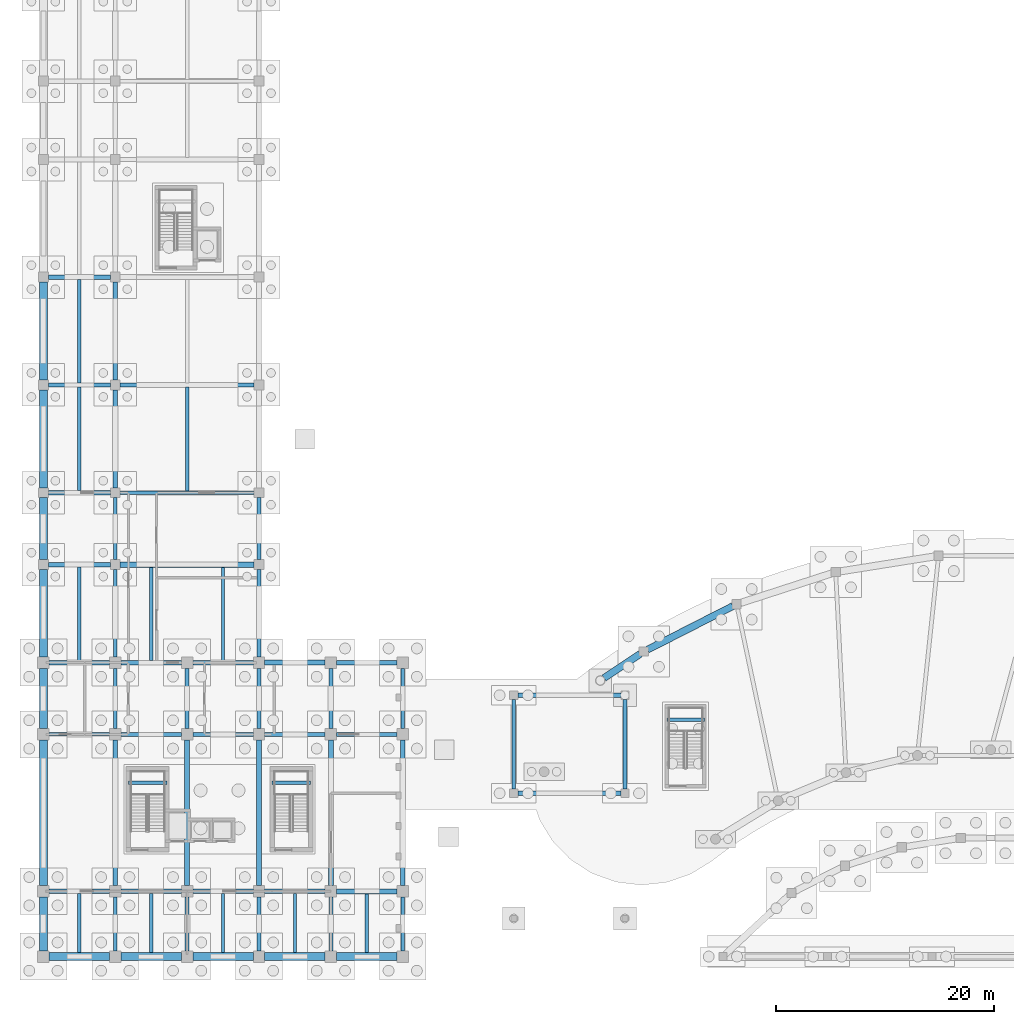
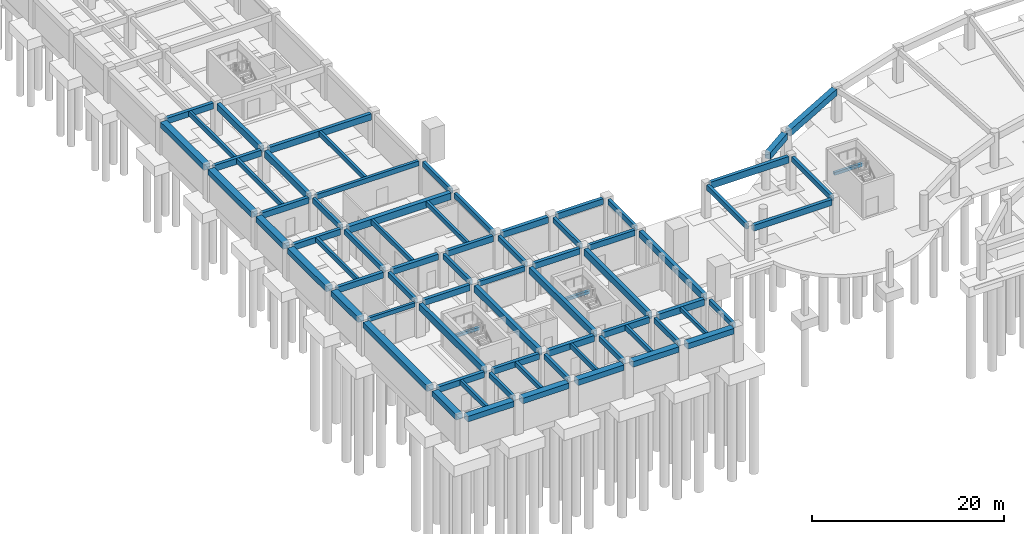
# One storey, part 10 of 28: 75 beams.
"""IFC4 building model written with IfcOpenShell, lengths in metres."""

from ifc_helpers import new_model, si_unit, direction, frame, origin, origin_2d, place, context, subcontext, project, spatial, rectangle, extrude, material, material_profile, profile_set, type_object, element, save


model = new_model("IFC4")

# Units and contexts
model_context = context("Model", 3, precision=1e-05, world=origin(), true_north=direction((0.0, 1.0)))
body_context = subcontext(model_context, "Body", "Model", "MODEL_VIEW")
ifc_project = project(units=[si_unit("LENGTHUNIT", "METRE"), si_unit("AREAUNIT", "SQUARE_METRE"), si_unit("VOLUMEUNIT", "CUBIC_METRE"), si_unit("PLANEANGLEUNIT", "RADIAN"), si_unit("MASSUNIT", "GRAM", prefix="KILO")], contexts=[model_context])

# Site, building, storey
site_placement = place(None, origin())
site = spatial("IfcSite", under=ifc_project, at=site_placement, CompositionType="ELEMENT")
building_placement = place(site_placement, origin())
building = spatial("IfcBuilding", under=site, at=building_placement, Name="Miralva Faculty of Natural Sciences", CompositionType="ELEMENT")
storey_placement = place(building_placement, frame((0.0, 0.0, -4.5)))
storey = spatial("IfcBuildingStorey", under=building, at=storey_placement, Name="B1", CompositionType="ELEMENT", Elevation=-4.5)

# Beams
ifc_material = material(Name="Concrete C40/50", Category="concrete")
ifc_material_profile_1 = material_profile(ifc_material, rectangle(XDim=0.449951171875, YDim=0.85009765625, at=origin_2d()), Name="RC 450x850")
ifc_profile_set_1 = profile_set([ifc_material_profile_1], Name="Concrete C40/50")
beam_type_1 = type_object("IfcBeamType", Name="BM-B01", PredefinedType="BEAM", material=ifc_profile_set_1)
beam_1_placement = place(storey_placement, frame((9.60009765625, 9.52490234375, 3.85498046875), z_axis=(0.0, 1.0, 0.0), x_axis=(-1.0, 0.0, 0.0)))
element("IfcBeam", 1, at=beam_1_placement, inside=storey, type_object=beam_type_1, Name="Girder NS B1-125", PredefinedType="BEAM", context=body_context, shape_type="SweptSolid", body=[
    extrude(rectangle(XDim=0.449951171875, YDim=0.85009765625, at=origin_2d()), origin(), (0.0, 0.0, 1.0), 13.35009765625),
])
for number, where, z_axis, x_axis, name in (
    (2, (9.60009765625, 46.050048828125, 3.7548828125), (0.0, 1.0, 0.0), (-1.0, 0.0, 0.0), "Girder NS B1-129"),
    (3, (9.60009765625, 55.949951171875, 3.7548828125), (0.0, 1.0, 0.0), (-1.0, 0.0, 0.0), "Girder NS B1-130"),
):
    element("IfcBeam", number, at=place(storey_placement, frame(where, z_axis=z_axis, x_axis=x_axis)), inside=storey, type_object=beam_type_1, Name=name, PredefinedType="BEAM", context=body_context, shape_type="SweptSolid", body=[
        extrude(rectangle(XDim=0.449951171875, YDim=0.85009765625, at=origin_2d()), origin(), (0.0, 0.0, 1.0), 9.0),
    ])
for number, where, z_axis, x_axis, name in (
    (4, (16.199951171875, 9.52490234375, 3.85498046875), (0.0, 1.0, 0.0), (-1.0, 0.0, 0.0), "Girder NS B1-135"),
    (5, (22.800048828125, 9.52490234375, 3.85498046875), (0.0, 1.0, 0.0), (-1.0, 0.0, 0.0), "Girder NS B1-138"),
    (6, (29.39990234375, 9.52490234375, 3.85498046875), (0.0, 1.0, 0.0), (-1.0, 0.0, 0.0), "Girder NS B1-151"),
    (7, (36.0, 9.52490234375, 3.85498046875), (0.0, 1.0, 0.0), (-1.0, 0.0, 0.0), "Girder NS B1-156"),
):
    element("IfcBeam", number, at=place(storey_placement, frame(where, z_axis=z_axis, x_axis=x_axis)), inside=storey, type_object=beam_type_1, Name=name, PredefinedType="BEAM", context=body_context, shape_type="SweptSolid", body=[
        extrude(rectangle(XDim=0.449951171875, YDim=0.85009765625, at=origin_2d()), origin(), (0.0, 0.0, 1.0), 13.35009765625),
    ])
ifc_material_profile_2 = material_profile(ifc_material, rectangle(XDim=0.39990234375, YDim=0.800048828125, at=origin_2d()), Name="RC 400x800")
ifc_profile_set_2 = profile_set([ifc_material_profile_2], Name="Concrete C40/50")
beam_type_2 = type_object("IfcBeamType", Name="BM-B02", PredefinedType="BEAM", material=ifc_profile_set_2)
beam_2_placement = place(storey_placement, frame((10.050048828125, 55.5, 3.780029296875), z_axis=(1.0, 0.0, 0.0), x_axis=(0.0, 1.0, 0.0)))
element("IfcBeam", 8, at=beam_2_placement, inside=storey, type_object=beam_type_2, Name="Girder EW B1-52", PredefinedType="BEAM", context=body_context, shape_type="SweptSolid", body=[
    extrude(rectangle(XDim=0.39990234375, YDim=0.800048828125, at=origin_2d()), origin(), (0.0, 0.0, 1.0), 12.300048828125),
])
ifc_material_profile_3 = material_profile(ifc_material, rectangle(XDim=0.39990234375, YDim=0.75, at=origin_2d()), Name="RC 400x750")
ifc_profile_set_3 = profile_set([ifc_material_profile_3], Name="Concrete C40/50")
beam_type_3 = type_object("IfcBeamType", Name="BM-B03", PredefinedType="BEAM", material=ifc_profile_set_3)
for number, where, z_axis, x_axis, name in (
    (9, (10.125, 9.0, 3.905029296875), (1.0, 0.0, 0.0), (0.0, 1.0, 0.0), "Girder EW B1-12"),
    (10, (23.324951171875, 9.0, 3.905029296875), (1.0, 0.0, 0.0), (0.0, 1.0, 0.0), "Girder EW B1-14"),
):
    element("IfcBeam", number, at=place(storey_placement, frame(where, z_axis=z_axis, x_axis=x_axis)), inside=storey, type_object=beam_type_3, Name=name, PredefinedType="BEAM", context=body_context, shape_type="SweptSolid", body=[
        extrude(rectangle(XDim=0.39990234375, YDim=0.75, at=origin_2d()), origin(), (0.0, 0.0, 1.0), 5.550048828125),
    ])
beam_3_placement = place(storey_placement, frame((46.574951171875, 18.0, 3.885009765625), z_axis=(1.0, 0.0, 0.0), x_axis=(0.0, 1.0, 0.0)))
element("IfcBeam", 11, at=beam_3_placement, inside=storey, type_object=beam_type_3, Name="Girder EW B1-20", PredefinedType="BEAM", context=body_context, shape_type="SweptSolid", body=[
    extrude(rectangle(XDim=0.39990234375, YDim=0.75, at=origin_2d()), origin(), (0.0, 0.0, 1.0), 9.449951171875),
])
for number, where, z_axis, x_axis, name in (
    (12, (10.125, 23.39990234375, 3.905029296875), (1.0, 0.0, 0.0), (0.0, 1.0, 0.0), "Girder EW B1-24"),
    (13, (23.324951171875, 23.39990234375, 3.905029296875), (1.0, 0.0, 0.0), (0.0, 1.0, 0.0), "Girder EW B1-26"),
    (14, (3.52490234375, 30.0, 3.804931640625), (1.0, 0.0, 0.0), (0.0, 1.0, 0.0), "Girder EW B1-32"),
):
    element("IfcBeam", number, at=place(storey_placement, frame(where, z_axis=z_axis, x_axis=x_axis)), inside=storey, type_object=beam_type_3, Name=name, PredefinedType="BEAM", context=body_context, shape_type="SweptSolid", body=[
        extrude(rectangle(XDim=0.39990234375, YDim=0.75, at=origin_2d()), origin(), (0.0, 0.0, 1.0), 5.550048828125),
    ])
beam_4_placement = place(storey_placement, frame((16.72509765625, 30.0, 3.804931640625), z_axis=(1.0, 0.0, 0.0), x_axis=(0.0, 1.0, 0.0)))
element("IfcBeam", 15, at=beam_4_placement, inside=storey, type_object=beam_type_3, Name="Girder EW B1-34", PredefinedType="BEAM", context=body_context, shape_type="SweptSolid", body=[
    extrude(rectangle(XDim=0.39990234375, YDim=0.75, at=origin_2d()), origin(), (0.0, 0.0, 1.0), 5.5498046875),
])
beam_5_placement = place(storey_placement, frame((29.925048828125, 30.0, 3.905029296875), z_axis=(1.0, 0.0, 0.0), x_axis=(0.0, 1.0, 0.0)))
element("IfcBeam", 16, at=beam_5_placement, inside=storey, type_object=beam_type_3, Name="Girder EW B1-36", PredefinedType="BEAM", context=body_context, shape_type="SweptSolid", body=[
    extrude(rectangle(XDim=0.39990234375, YDim=0.75, at=origin_2d()), origin(), (0.0, 0.0, 1.0), 5.550048828125),
])
for number, where, z_axis, x_axis, name in (
    (17, (3.449951171875, 39.0, 3.804931640625), (1.0, 0.0, 0.0), (0.0, 1.0, 0.0), "Girder EW B1-40"),
    (18, (3.449951171875, 45.60009765625, 3.804931640625), (1.0, 0.0, 0.0), (0.0, 1.0, 0.0), "Girder EW B1-46"),
    (19, (3.449951171875, 65.39990234375, 3.804931640625), (1.0, 0.0, 0.0), (0.0, 1.0, 0.0), "Girder EW B1-56"),
):
    element("IfcBeam", number, at=place(storey_placement, frame(where, z_axis=z_axis, x_axis=x_axis)), inside=storey, type_object=beam_type_3, Name=name, PredefinedType="BEAM", context=body_context, shape_type="SweptSolid", body=[
        extrude(rectangle(XDim=0.39990234375, YDim=0.75, at=origin_2d()), origin(), (0.0, 0.0, 1.0), 5.699951171875),
    ])
ifc_material_profile_4 = material_profile(ifc_material, rectangle(XDim=0.35009765625, YDim=0.64990234375, at=origin_2d()), Name="RC 350x650")
ifc_profile_set_4 = profile_set([ifc_material_profile_4], Name="Concrete C40/50")
beam_type_4 = type_object("IfcBeamType", Name="BM-B05", PredefinedType="BEAM", material=ifc_profile_set_4)
beam_6_placement = place(storey_placement, frame((9.60009765625, 3.52490234375, 3.955078125), z_axis=(0.0, 1.0, 0.0), x_axis=(-1.0, 0.0, 0.0)))
element("IfcBeam", 20, at=beam_6_placement, inside=storey, type_object=beam_type_4, Name="Girder NS B1-124", PredefinedType="BEAM", context=body_context, shape_type="SweptSolid", body=[
    extrude(rectangle(XDim=0.35009765625, YDim=0.64990234375, at=origin_2d()), origin(), (0.0, 0.0, 1.0), 4.9501953125),
])
beam_7_placement = place(storey_placement, frame((9.60009765625, 23.925048828125, 3.955078125), z_axis=(0.0, 1.0, 0.0), x_axis=(-1.0, 0.0, 0.0)))
element("IfcBeam", 21, at=beam_7_placement, inside=storey, type_object=beam_type_4, Name="Girder NS B1-126", PredefinedType="BEAM", context=body_context, shape_type="SweptSolid", body=[
    extrude(rectangle(XDim=0.35009765625, YDim=0.64990234375, at=origin_2d()), origin(), (0.0, 0.0, 1.0), 5.550048828125),
])
beam_8_placement = place(storey_placement, frame((9.60009765625, 30.52490234375, 3.85498046875), z_axis=(0.0, 1.0, 0.0), x_axis=(-1.0, 0.0, 0.0)))
element("IfcBeam", 22, at=beam_8_placement, inside=storey, type_object=beam_type_4, Name="Girder NS B1-127", PredefinedType="BEAM", context=body_context, shape_type="SweptSolid", body=[
    extrude(rectangle(XDim=0.35009765625, YDim=0.64990234375, at=origin_2d()), origin(), (0.0, 0.0, 1.0), 8.025146484375),
])
beam_9_placement = place(storey_placement, frame((9.60009765625, 39.449951171875, 3.85498046875), z_axis=(0.0, 1.0, 0.0), x_axis=(-1.0, 0.0, 0.0)))
element("IfcBeam", 23, at=beam_9_placement, inside=storey, type_object=beam_type_4, Name="Girder NS B1-128", PredefinedType="BEAM", context=body_context, shape_type="SweptSolid", body=[
    extrude(rectangle(XDim=0.35009765625, YDim=0.64990234375, at=origin_2d()), origin(), (0.0, 0.0, 1.0), 5.699951171875),
])
beam_10_placement = place(storey_placement, frame((16.199951171875, 3.52490234375, 3.955078125), z_axis=(0.0, 1.0, 0.0), x_axis=(-1.0, 0.0, 0.0)))
element("IfcBeam", 24, at=beam_10_placement, inside=storey, type_object=beam_type_4, Name="Girder NS B1-134", PredefinedType="BEAM", context=body_context, shape_type="SweptSolid", body=[
    extrude(rectangle(XDim=0.35009765625, YDim=0.64990234375, at=origin_2d()), origin(), (0.0, 0.0, 1.0), 4.9501953125),
])
beam_11_placement = place(storey_placement, frame((16.199951171875, 23.925048828125, 3.955078125), z_axis=(0.0, 1.0, 0.0), x_axis=(-1.0, 0.0, 0.0)))
element("IfcBeam", 25, at=beam_11_placement, inside=storey, type_object=beam_type_4, Name="Girder NS B1-136", PredefinedType="BEAM", context=body_context, shape_type="SweptSolid", body=[
    extrude(rectangle(XDim=0.35009765625, YDim=0.64990234375, at=origin_2d()), origin(), (0.0, 0.0, 1.0), 5.550048828125),
])
beam_12_placement = place(storey_placement, frame((22.800048828125, 3.52490234375, 3.955078125), z_axis=(0.0, 1.0, 0.0), x_axis=(-1.0, 0.0, 0.0)))
element("IfcBeam", 26, at=beam_12_placement, inside=storey, type_object=beam_type_4, Name="Girder NS B1-137", PredefinedType="BEAM", context=body_context, shape_type="SweptSolid", body=[
    extrude(rectangle(XDim=0.35009765625, YDim=0.64990234375, at=origin_2d()), origin(), (0.0, 0.0, 1.0), 4.9501953125),
])
beam_13_placement = place(storey_placement, frame((22.800048828125, 23.925048828125, 3.955078125), z_axis=(0.0, 1.0, 0.0), x_axis=(-1.0, 0.0, 0.0)))
element("IfcBeam", 27, at=beam_13_placement, inside=storey, type_object=beam_type_4, Name="Girder NS B1-139", PredefinedType="BEAM", context=body_context, shape_type="SweptSolid", body=[
    extrude(rectangle(XDim=0.35009765625, YDim=0.64990234375, at=origin_2d()), origin(), (0.0, 0.0, 1.0), 5.550048828125),
])
beam_14_placement = place(storey_placement, frame((22.800048828125, 30.52490234375, 3.85498046875), z_axis=(0.0, 1.0, 0.0), x_axis=(-1.0, 0.0, 0.0)))
element("IfcBeam", 28, at=beam_14_placement, inside=storey, type_object=beam_type_4, Name="Girder NS B1-140", PredefinedType="BEAM", context=body_context, shape_type="SweptSolid", body=[
    extrude(rectangle(XDim=0.35009765625, YDim=0.64990234375, at=origin_2d()), origin(), (0.0, 0.0, 1.0), 8.025146484375),
])
beam_15_placement = place(storey_placement, frame((22.800048828125, 39.449951171875, 3.85498046875), z_axis=(0.0, 1.0, 0.0), x_axis=(-1.0, 0.0, 0.0)))
element("IfcBeam", 29, at=beam_15_placement, inside=storey, type_object=beam_type_4, Name="Girder NS B1-141", PredefinedType="BEAM", context=body_context, shape_type="SweptSolid", body=[
    extrude(rectangle(XDim=0.35009765625, YDim=0.64990234375, at=origin_2d()), origin(), (0.0, 0.0, 1.0), 5.699951171875),
])
beam_16_placement = place(storey_placement, frame((29.39990234375, 3.52490234375, 3.955078125), z_axis=(0.0, 1.0, 0.0), x_axis=(-1.0, 0.0, 0.0)))
element("IfcBeam", 30, at=beam_16_placement, inside=storey, type_object=beam_type_4, Name="Girder NS B1-150", PredefinedType="BEAM", context=body_context, shape_type="SweptSolid", body=[
    extrude(rectangle(XDim=0.35009765625, YDim=0.64990234375, at=origin_2d()), origin(), (0.0, 0.0, 1.0), 4.9501953125),
])
beam_17_placement = place(storey_placement, frame((29.39990234375, 23.925048828125, 3.955078125), z_axis=(0.0, 1.0, 0.0), x_axis=(-1.0, 0.0, 0.0)))
element("IfcBeam", 31, at=beam_17_placement, inside=storey, type_object=beam_type_4, Name="Girder NS B1-152", PredefinedType="BEAM", context=body_context, shape_type="SweptSolid", body=[
    extrude(rectangle(XDim=0.35009765625, YDim=0.64990234375, at=origin_2d()), origin(), (0.0, 0.0, 1.0), 5.550048828125),
])
beam_18_placement = place(storey_placement, frame((36.0, 3.52490234375, 3.955078125), z_axis=(0.0, 1.0, 0.0), x_axis=(-1.0, 0.0, 0.0)))
element("IfcBeam", 32, at=beam_18_placement, inside=storey, type_object=beam_type_4, Name="Girder NS B1-155", PredefinedType="BEAM", context=body_context, shape_type="SweptSolid", body=[
    extrude(rectangle(XDim=0.35009765625, YDim=0.64990234375, at=origin_2d()), origin(), (0.0, 0.0, 1.0), 4.9501953125),
])
beam_19_placement = place(storey_placement, frame((36.0, 23.925048828125, 3.93505859375), z_axis=(0.0, 1.0, 0.0), x_axis=(-1.0, 0.0, 0.0)))
element("IfcBeam", 33, at=beam_19_placement, inside=storey, type_object=beam_type_4, Name="Girder NS B1-157", PredefinedType="BEAM", context=body_context, shape_type="SweptSolid", body=[
    extrude(rectangle(XDim=0.35009765625, YDim=0.64990234375, at=origin_2d()), origin(), (0.0, 0.0, 1.0), 5.550048828125),
])
for number, where, z_axis, x_axis, name in (
    (34, (46.199951171875, 18.375, 3.93505859375), (0.0, 1.0, 0.0), (-1.0, 0.0, 0.0), "Girder NS B1-160"),
    (35, (56.39990234375, 18.375, 3.93505859375), (0.0, 1.0, 0.0), (-1.0, 0.0, 0.0), "Girder NS B1-163"),
):
    element("IfcBeam", number, at=place(storey_placement, frame(where, z_axis=z_axis, x_axis=x_axis)), inside=storey, type_object=beam_type_4, Name=name, PredefinedType="BEAM", context=body_context, shape_type="SweptSolid", body=[
        extrude(rectangle(XDim=0.35009765625, YDim=0.64990234375, at=origin_2d()), origin(), (0.0, 0.0, 1.0), 8.25),
    ])
ifc_material_profile_5 = material_profile(ifc_material, rectangle(XDim=0.320068359375, YDim=0.52001953125, at=origin_2d()), Name="RC 320x520")
ifc_profile_set_5 = profile_set([ifc_material_profile_5], Name="Concrete C40/50")
beam_type_5 = type_object("IfcBeamType", Name="BM-BG01", PredefinedType="BEAM", material=ifc_profile_set_5)
beam_20_placement = place(storey_placement, frame((3.52490234375, 23.39990234375, 4.02001953125), z_axis=(1.0, 0.0, 0.0), x_axis=(0.0, 1.0, 0.0)))
element("IfcBeam", 36, at=beam_20_placement, inside=storey, type_object=beam_type_5, Name="Girder EW B1-23", PredefinedType="BEAM", context=body_context, shape_type="SweptSolid", body=[
    extrude(rectangle(XDim=0.320068359375, YDim=0.52001953125, at=origin_2d()), origin(), (0.0, 0.0, 1.0), 5.550048828125),
])
ifc_material_profile_6 = material_profile(ifc_material, rectangle(XDim=0.340087890625, YDim=0.6201171875, at=origin_2d()), Name="RC 340x620")
ifc_profile_set_6 = profile_set([ifc_material_profile_6], Name="Concrete C40/50")
beam_type_6 = type_object("IfcBeamType", Name="BM-BG03", PredefinedType="BEAM", material=ifc_profile_set_6)
beam_21_placement = place(storey_placement, frame((16.72509765625, 23.39990234375, 3.969970703125), z_axis=(1.0, 0.0, 0.0), x_axis=(0.0, 1.0, 0.0)))
element("IfcBeam", 37, at=beam_21_placement, inside=storey, type_object=beam_type_6, Name="Girder EW B1-25", PredefinedType="BEAM", context=body_context, shape_type="SweptSolid", body=[
    extrude(rectangle(XDim=0.340087890625, YDim=0.6201171875, at=origin_2d()), origin(), (0.0, 0.0, 1.0), 5.5498046875),
])
beam_22_placement = place(storey_placement, frame((10.050048828125, 45.60009765625, 3.8701171875), z_axis=(1.0, 0.0, 0.0), x_axis=(0.0, 1.0, 0.0)))
element("IfcBeam", 38, at=beam_22_placement, inside=storey, type_object=beam_type_6, Name="Girder EW B1-47", PredefinedType="BEAM", context=body_context, shape_type="SweptSolid", body=[
    extrude(rectangle(XDim=0.340087890625, YDim=0.6201171875, at=origin_2d()), origin(), (0.0, 0.0, 1.0), 12.300048828125),
])
ifc_material_profile_7 = material_profile(ifc_material, rectangle(XDim=0.360107421875, YDim=0.719970703125, at=origin_2d()), Name="RC 360x720")
ifc_profile_set_7 = profile_set([ifc_material_profile_7], Name="Concrete C40/50")
beam_type_7 = type_object("IfcBeamType", Name="BM-BG05", PredefinedType="BEAM", material=ifc_profile_set_7)
beam_23_placement = place(storey_placement, frame((29.925048828125, 23.39990234375, 3.919921875), z_axis=(1.0, 0.0, 0.0), x_axis=(0.0, 1.0, 0.0)))
element("IfcBeam", 39, at=beam_23_placement, inside=storey, type_object=beam_type_7, Name="Girder EW B1-27", PredefinedType="BEAM", context=body_context, shape_type="SweptSolid", body=[
    extrude(rectangle(XDim=0.360107421875, YDim=0.719970703125, at=origin_2d()), origin(), (0.0, 0.0, 1.0), 5.550048828125),
])
ifc_material_profile_8 = material_profile(ifc_material, rectangle(XDim=0.3798828125, YDim=0.780029296875, at=origin_2d()), Name="RC 380x780")
ifc_profile_set_8 = profile_set([ifc_material_profile_8], Name="Concrete C40/50")
beam_type_8 = type_object("IfcBeamType", Name="BM-BG07", PredefinedType="BEAM", material=ifc_profile_set_8)
beam_24_placement = place(storey_placement, frame((3.449951171875, 55.5, 3.7900390625), z_axis=(1.0, 0.0, 0.0), x_axis=(0.0, 1.0, 0.0)))
element("IfcBeam", 40, at=beam_24_placement, inside=storey, type_object=beam_type_8, Name="Girder EW B1-51", PredefinedType="BEAM", context=body_context, shape_type="SweptSolid", body=[
    extrude(rectangle(XDim=0.3798828125, YDim=0.780029296875, at=origin_2d()), origin(), (0.0, 0.0, 1.0), 5.699951171875),
])
ifc_material_profile_9 = material_profile(ifc_material, rectangle(XDim=0.39990234375, YDim=0.840087890625, at=origin_2d()), Name="RC 400x840")
ifc_profile_set_9 = profile_set([ifc_material_profile_9], Name="Concrete C40/50")
beam_type_9 = type_object("IfcBeamType", Name="BM-BG09", PredefinedType="BEAM", material=ifc_profile_set_9)
beam_25_placement = place(storey_placement, frame((46.574951171875, 27.0, 3.840087890625), z_axis=(1.0, 0.0, 0.0), x_axis=(0.0, 1.0, 0.0)))
element("IfcBeam", 41, at=beam_25_placement, inside=storey, type_object=beam_type_9, Name="Girder EW B1-31", PredefinedType="BEAM", context=body_context, shape_type="SweptSolid", body=[
    extrude(rectangle(XDim=0.39990234375, YDim=0.840087890625, at=origin_2d()), origin(), (0.0, 0.0, 1.0), 9.449951171875),
])
ifc_material_profile_10 = material_profile(ifc_material, rectangle(XDim=0.419921875, YDim=0.739990234375, at=origin_2d()), Name="RC 420x740")
ifc_profile_set_10 = profile_set([ifc_material_profile_10], Name="Concrete C40/50")
beam_type_10 = type_object("IfcBeamType", Name="BM-BG11", PredefinedType="BEAM", material=ifc_profile_set_10)
for number, where, z_axis, x_axis, name in (
    (42, (3.52490234375, 9.0, 3.909912109375), (1.0, 0.0, 0.0), (0.0, 1.0, 0.0), "Girder EW B1-11"),
    (43, (10.125, 30.0, 3.81005859375), (1.0, 0.0, 0.0), (0.0, 1.0, 0.0), "Girder EW B1-33"),
):
    element("IfcBeam", number, at=place(storey_placement, frame(where, z_axis=z_axis, x_axis=x_axis)), inside=storey, type_object=beam_type_10, Name=name, PredefinedType="BEAM", context=body_context, shape_type="SweptSolid", body=[
        extrude(rectangle(XDim=0.419921875, YDim=0.739990234375, at=origin_2d()), origin(), (0.0, 0.0, 1.0), 5.550048828125),
    ])
ifc_material_profile_11 = material_profile(ifc_material, rectangle(XDim=0.43994140625, YDim=0.780029296875, at=origin_2d()), Name="RC 440x780")
ifc_profile_set_11 = profile_set([ifc_material_profile_11], Name="Concrete C40/50")
beam_type_11 = type_object("IfcBeamType", Name="BM-BG13", PredefinedType="BEAM", material=ifc_profile_set_11)
beam_26_placement = place(storey_placement, frame((16.72509765625, 9.0, 3.889892578125), z_axis=(1.0, 0.0, 0.0), x_axis=(0.0, 1.0, 0.0)))
element("IfcBeam", 44, at=beam_26_placement, inside=storey, type_object=beam_type_11, Name="Girder EW B1-13", PredefinedType="BEAM", context=body_context, shape_type="SweptSolid", body=[
    extrude(rectangle(XDim=0.43994140625, YDim=0.780029296875, at=origin_2d()), origin(), (0.0, 0.0, 1.0), 5.5498046875),
])
beam_27_placement = place(storey_placement, frame((23.324951171875, 30.0, 3.889892578125), z_axis=(1.0, 0.0, 0.0), x_axis=(0.0, 1.0, 0.0)))
element("IfcBeam", 45, at=beam_27_placement, inside=storey, type_object=beam_type_11, Name="Girder EW B1-35", PredefinedType="BEAM", context=body_context, shape_type="SweptSolid", body=[
    extrude(rectangle(XDim=0.43994140625, YDim=0.780029296875, at=origin_2d()), origin(), (0.0, 0.0, 1.0), 5.550048828125),
])
ifc_material_profile_12 = material_profile(ifc_material, rectangle(XDim=0.4599609375, YDim=0.820068359375, at=origin_2d()), Name="RC 460x820")
ifc_profile_set_12 = profile_set([ifc_material_profile_12], Name="Concrete C40/50")
beam_type_12 = type_object("IfcBeamType", Name="BM-BG15", PredefinedType="BEAM", material=ifc_profile_set_12)
beam_28_placement = place(storey_placement, frame((29.925048828125, 9.0, 3.8701171875), z_axis=(1.0, 0.0, 0.0), x_axis=(0.0, 1.0, 0.0)))
element("IfcBeam", 46, at=beam_28_placement, inside=storey, type_object=beam_type_12, Name="Girder EW B1-15", PredefinedType="BEAM", context=body_context, shape_type="SweptSolid", body=[
    extrude(rectangle(XDim=0.4599609375, YDim=0.820068359375, at=origin_2d()), origin(), (0.0, 0.0, 1.0), 5.550048828125),
])
ifc_material_profile_13 = material_profile(ifc_material, rectangle(XDim=0.52001953125, YDim=0.8798828125, at=origin_2d()), Name="RC 520x880")
ifc_profile_set_13 = profile_set([ifc_material_profile_13], Name="Concrete C40/50")
beam_type_13 = type_object("IfcBeamType", Name="BM-BG19", PredefinedType="BEAM", material=ifc_profile_set_13)
beam_29_placement = place(storey_placement, frame((10.050048828125, 39.0, 3.739990234375), z_axis=(1.0, 0.0, 0.0), x_axis=(0.0, 1.0, 0.0)))
element("IfcBeam", 47, at=beam_29_placement, inside=storey, type_object=beam_type_13, Name="Girder EW B1-41", PredefinedType="BEAM", context=body_context, shape_type="SweptSolid", body=[
    extrude(rectangle(XDim=0.52001953125, YDim=0.8798828125, at=origin_2d()), origin(), (0.0, 0.0, 1.0), 12.300048828125),
])
ifc_material_profile_14 = material_profile(ifc_material, rectangle(XDim=0.300048828125, YDim=0.60009765625, at=origin_2d()), Name="RC 300x600")
ifc_profile_set_14 = profile_set([ifc_material_profile_14], Name="Concrete C40/50")
beam_type_14 = type_object("IfcBeamType", Name="BM-J01", PredefinedType="JOIST", material=ifc_profile_set_14)
beam_30_placement = place(storey_placement, frame((6.300048828125, 3.375, 3.97998046875), z_axis=(0.0, 1.0, 0.0), x_axis=(-1.0, 0.0, 0.0)))
element("IfcBeam", 48, at=beam_30_placement, inside=storey, type_object=beam_type_14, Name="Floor joist B1-1", PredefinedType="JOIST", context=body_context, shape_type="SweptSolid", body=[
    extrude(rectangle(XDim=0.300048828125, YDim=0.60009765625, at=origin_2d()), origin(), (0.0, 0.0, 1.0), 5.4150390625),
])
beam_31_placement = place(storey_placement, frame((12.89990234375, 3.375, 3.97998046875), z_axis=(0.0, 1.0, 0.0), x_axis=(-1.0, 0.0, 0.0)))
element("IfcBeam", 49, at=beam_31_placement, inside=storey, type_object=beam_type_14, Name="Floor joist B1-2", PredefinedType="JOIST", context=body_context, shape_type="SweptSolid", body=[
    extrude(rectangle(XDim=0.300048828125, YDim=0.60009765625, at=origin_2d()), origin(), (0.0, 0.0, 1.0), 5.425048828125),
])
beam_32_placement = place(storey_placement, frame((19.5, 3.375, 3.97998046875), z_axis=(0.0, 1.0, 0.0), x_axis=(-1.0, 0.0, 0.0)))
element("IfcBeam", 50, at=beam_32_placement, inside=storey, type_object=beam_type_14, Name="Floor joist B1-3", PredefinedType="JOIST", context=body_context, shape_type="SweptSolid", body=[
    extrude(rectangle(XDim=0.300048828125, YDim=0.60009765625, at=origin_2d()), origin(), (0.0, 0.0, 1.0), 5.405029296875),
])
beam_33_placement = place(storey_placement, frame((26.10009765625, 3.375, 3.97998046875), z_axis=(0.0, 1.0, 0.0), x_axis=(-1.0, 0.0, 0.0)))
element("IfcBeam", 51, at=beam_33_placement, inside=storey, type_object=beam_type_14, Name="Floor joist B1-4", PredefinedType="JOIST", context=body_context, shape_type="SweptSolid", body=[
    extrude(rectangle(XDim=0.300048828125, YDim=0.60009765625, at=origin_2d()), origin(), (0.0, 0.0, 1.0), 5.425048828125),
])
beam_34_placement = place(storey_placement, frame((6.300048828125, 30.199951171875, 3.8798828125), z_axis=(0.0, 1.0, 0.0), x_axis=(-1.0, 0.0, 0.0)))
element("IfcBeam", 52, at=beam_34_placement, inside=storey, type_object=beam_type_14, Name="Floor joist B1-6", PredefinedType="JOIST", context=body_context, shape_type="SweptSolid", body=[
    extrude(rectangle(XDim=0.300048828125, YDim=0.60009765625, at=origin_2d()), origin(), (0.0, 0.0, 1.0), 8.60009765625),
])
beam_35_placement = place(storey_placement, frame((12.89990234375, 30.2099609375, 3.8798828125), z_axis=(0.0, 1.0, 0.0), x_axis=(-1.0, 0.0, 0.0)))
element("IfcBeam", 53, at=beam_35_placement, inside=storey, type_object=beam_type_14, Name="Floor joist B1-7", PredefinedType="JOIST", context=body_context, shape_type="SweptSolid", body=[
    extrude(rectangle(XDim=0.300048828125, YDim=0.60009765625, at=origin_2d()), origin(), (0.0, 0.0, 1.0), 8.530029296875),
])
beam_36_placement = place(storey_placement, frame((19.5, 30.199951171875, 3.8798828125), z_axis=(0.0, 1.0, 0.0), x_axis=(-1.0, 0.0, 0.0)))
element("IfcBeam", 54, at=beam_36_placement, inside=storey, type_object=beam_type_14, Name="Floor joist B1-8", PredefinedType="JOIST", context=body_context, shape_type="SweptSolid", body=[
    extrude(rectangle(XDim=0.300048828125, YDim=0.60009765625, at=origin_2d()), origin(), (0.0, 0.0, 1.0), 8.5400390625),
])
beam_37_placement = place(storey_placement, frame((6.300048828125, 45.800048828125, 3.8798828125), z_axis=(0.0, 1.0, 0.0), x_axis=(-1.0, 0.0, 0.0)))
element("IfcBeam", 55, at=beam_37_placement, inside=storey, type_object=beam_type_14, Name="Floor joist B1-12", PredefinedType="JOIST", context=body_context, shape_type="SweptSolid", body=[
    extrude(rectangle(XDim=0.300048828125, YDim=0.60009765625, at=origin_2d()), origin(), (0.0, 0.0, 1.0), 9.510009765625),
])
beam_38_placement = place(storey_placement, frame((16.199951171875, 45.77001953125, 3.8798828125), z_axis=(0.0, 1.0, 0.0), x_axis=(-1.0, 0.0, 0.0)))
element("IfcBeam", 56, at=beam_38_placement, inside=storey, type_object=beam_type_14, Name="Floor joist B1-13", PredefinedType="JOIST", context=body_context, shape_type="SweptSolid", body=[
    extrude(rectangle(XDim=0.300048828125, YDim=0.60009765625, at=origin_2d()), origin(), (0.0, 0.0, 1.0), 9.530029296875),
])
beam_39_placement = place(storey_placement, frame((6.300048828125, 55.68994140625, 3.8798828125), z_axis=(0.0, 1.0, 0.0), x_axis=(-1.0, 0.0, 0.0)))
element("IfcBeam", 57, at=beam_39_placement, inside=storey, type_object=beam_type_14, Name="Floor joist B1-17", PredefinedType="JOIST", context=body_context, shape_type="SweptSolid", body=[
    extrude(rectangle(XDim=0.300048828125, YDim=0.60009765625, at=origin_2d()), origin(), (0.0, 0.0, 1.0), 9.510009765625),
])
ifc_material_profile_15 = material_profile(ifc_material, rectangle(XDim=0.300048828125, YDim=0.5, at=origin_2d()), Name="RC 300x500")
ifc_profile_set_15 = profile_set([ifc_material_profile_15], Name="Concrete C40/50")
beam_type_15 = type_object("IfcBeamType", Name="BM-J03", PredefinedType="JOIST", material=ifc_profile_set_15)
beam_40_placement = place(storey_placement, frame((32.699951171875, 3.375, 4.030029296875), z_axis=(0.0, 1.0, 0.0), x_axis=(-1.0, 0.0, 0.0)))
element("IfcBeam", 58, at=beam_40_placement, inside=storey, type_object=beam_type_15, Name="Floor joist B1-5", PredefinedType="JOIST", context=body_context, shape_type="SweptSolid", body=[
    extrude(rectangle(XDim=0.300048828125, YDim=0.5, at=origin_2d()), origin(), (0.0, 0.0, 1.0), 5.39501953125),
])
ifc_material_profile_16 = material_profile(ifc_material, rectangle(XDim=0.300048828125, YDim=0.3798828125, at=origin_2d()), Name="RC 300x380")
ifc_profile_set_16 = profile_set([ifc_material_profile_16], Name="Concrete C40/50")
beam_type_16 = type_object("IfcBeamType", Name="BM-LND01", PredefinedType="BEAM", material=ifc_profile_set_16)
for number, where, z_axis, x_axis, name in (
    (59, (10.800048828125, 18.955078125, 1.8701171875), (1.0, 0.0, 0.0), (0.0, 1.0, 0.0), "Stair Core C1 half-landing support beam B1"),
    (60, (24.0, 18.955078125, 1.8701171875), (1.0, 0.0, 0.0), (0.0, 1.0, 0.0), "Stair Core C1B half-landing support beam B1"),
):
    element("IfcBeam", number, at=place(storey_placement, frame(where, z_axis=z_axis, x_axis=x_axis)), inside=storey, type_object=beam_type_16, Name=name, PredefinedType="BEAM", context=body_context, shape_type="SweptSolid", body=[
        extrude(rectangle(XDim=0.300048828125, YDim=0.3798828125, at=origin_2d()), origin(), (0.0, 0.0, 1.0), 3.550048828125),
    ])
beam_41_placement = place(storey_placement, frame((60.25, 24.7548828125, 1.8701171875), z_axis=(1.0, 0.0, 0.0), x_axis=(0.0, 1.0, 0.0)))
element("IfcBeam", 61, at=beam_41_placement, inside=storey, type_object=beam_type_16, Name="Stair Core C6 half-landing support beam B1", PredefinedType="BEAM", context=body_context, shape_type="SweptSolid", body=[
    extrude(rectangle(XDim=0.300048828125, YDim=0.3798828125, at=origin_2d()), origin(), (0.0, 0.0, 1.0), 3.449951171875),
])
ifc_material_profile_17 = material_profile(ifc_material, rectangle(XDim=0.75, YDim=0.699951171875, at=origin_2d()), Name="RC 750x700")
ifc_profile_set_17 = profile_set([ifc_material_profile_17], Name="Concrete C40/50")
beam_type_17 = type_object("IfcBeamType", Name="BM-SP01", PredefinedType="SPANDREL", material=ifc_profile_set_17)
for number, where, z_axis, x_axis, name in (
    (62, (3.52490234375, 3.0, 3.929931640625), (1.0, 0.0, 0.0), (0.0, 1.0, 0.0), "Girder EW B1-1"),
    (63, (10.125, 3.0, 3.929931640625), (1.0, 0.0, 0.0), (0.0, 1.0, 0.0), "Girder EW B1-2"),
):
    element("IfcBeam", number, at=place(storey_placement, frame(where, z_axis=z_axis, x_axis=x_axis)), inside=storey, type_object=beam_type_17, Name=name, PredefinedType="SPANDREL", context=body_context, shape_type="SweptSolid", body=[
        extrude(rectangle(XDim=0.75, YDim=0.699951171875, at=origin_2d()), origin(), (0.0, 0.0, 1.0), 5.550048828125),
    ])
beam_42_placement = place(storey_placement, frame((16.72509765625, 3.0, 3.929931640625), z_axis=(1.0, 0.0, 0.0), x_axis=(0.0, 1.0, 0.0)))
element("IfcBeam", 64, at=beam_42_placement, inside=storey, type_object=beam_type_17, Name="Girder EW B1-3", PredefinedType="SPANDREL", context=body_context, shape_type="SweptSolid", body=[
    extrude(rectangle(XDim=0.75, YDim=0.699951171875, at=origin_2d()), origin(), (0.0, 0.0, 1.0), 5.5498046875),
])
for number, where, z_axis, x_axis, name in (
    (65, (23.324951171875, 3.0, 3.929931640625), (1.0, 0.0, 0.0), (0.0, 1.0, 0.0), "Girder EW B1-4"),
    (66, (29.925048828125, 3.0, 3.929931640625), (1.0, 0.0, 0.0), (0.0, 1.0, 0.0), "Girder EW B1-5"),
):
    element("IfcBeam", number, at=place(storey_placement, frame(where, z_axis=z_axis, x_axis=x_axis)), inside=storey, type_object=beam_type_17, Name=name, PredefinedType="SPANDREL", context=body_context, shape_type="SweptSolid", body=[
        extrude(rectangle(XDim=0.75, YDim=0.699951171875, at=origin_2d()), origin(), (0.0, 0.0, 1.0), 5.550048828125),
    ])
beam_43_placement = place(storey_placement, frame((3.0, 3.52490234375, 3.929931640625), z_axis=(0.0, 1.0, 0.0), x_axis=(-1.0, 0.0, 0.0)))
element("IfcBeam", 67, at=beam_43_placement, inside=storey, type_object=beam_type_17, Name="Girder NS B1-111", PredefinedType="SPANDREL", context=body_context, shape_type="SweptSolid", body=[
    extrude(rectangle(XDim=0.75, YDim=0.699951171875, at=origin_2d()), origin(), (0.0, 0.0, 1.0), 4.9501953125),
])
beam_44_placement = place(storey_placement, frame((3.0, 9.52490234375, 3.929931640625), z_axis=(0.0, 1.0, 0.0), x_axis=(-1.0, 0.0, 0.0)))
element("IfcBeam", 68, at=beam_44_placement, inside=storey, type_object=beam_type_17, Name="Girder NS B1-112", PredefinedType="SPANDREL", context=body_context, shape_type="SweptSolid", body=[
    extrude(rectangle(XDim=0.75, YDim=0.699951171875, at=origin_2d()), origin(), (0.0, 0.0, 1.0), 13.35009765625),
])
beam_45_placement = place(storey_placement, frame((3.0, 23.925048828125, 3.929931640625), z_axis=(0.0, 1.0, 0.0), x_axis=(-1.0, 0.0, 0.0)))
element("IfcBeam", 69, at=beam_45_placement, inside=storey, type_object=beam_type_17, Name="Girder NS B1-113", PredefinedType="SPANDREL", context=body_context, shape_type="SweptSolid", body=[
    extrude(rectangle(XDim=0.75, YDim=0.699951171875, at=origin_2d()), origin(), (0.0, 0.0, 1.0), 5.550048828125),
])
beam_46_placement = place(storey_placement, frame((3.0, 30.52490234375, 3.830078125), z_axis=(0.0, 1.0, 0.0), x_axis=(-1.0, 0.0, 0.0)))
element("IfcBeam", 70, at=beam_46_placement, inside=storey, type_object=beam_type_17, Name="Girder NS B1-114", PredefinedType="SPANDREL", context=body_context, shape_type="SweptSolid", body=[
    extrude(rectangle(XDim=0.75, YDim=0.699951171875, at=origin_2d()), origin(), (0.0, 0.0, 1.0), 8.025146484375),
])
beam_47_placement = place(storey_placement, frame((3.0, 39.449951171875, 3.830078125), z_axis=(0.0, 1.0, 0.0), x_axis=(-1.0, 0.0, 0.0)))
element("IfcBeam", 71, at=beam_47_placement, inside=storey, type_object=beam_type_17, Name="Girder NS B1-115", PredefinedType="SPANDREL", context=body_context, shape_type="SweptSolid", body=[
    extrude(rectangle(XDim=0.75, YDim=0.699951171875, at=origin_2d()), origin(), (0.0, 0.0, 1.0), 5.699951171875),
])
for number, where, z_axis, x_axis, name in (
    (72, (3.0, 46.050048828125, 3.830078125), (0.0, 1.0, 0.0), (-1.0, 0.0, 0.0), "Girder NS B1-116"),
    (73, (3.0, 55.949951171875, 3.830078125), (0.0, 1.0, 0.0), (-1.0, 0.0, 0.0), "Girder NS B1-117"),
):
    element("IfcBeam", number, at=place(storey_placement, frame(where, z_axis=z_axis, x_axis=x_axis)), inside=storey, type_object=beam_type_17, Name=name, PredefinedType="SPANDREL", context=body_context, shape_type="SweptSolid", body=[
        extrude(rectangle(XDim=0.75, YDim=0.699951171875, at=origin_2d()), origin(), (0.0, 0.0, 1.0), 9.0),
    ])
ifc_material_profile_18 = material_profile(ifc_material, rectangle(XDim=0.64990234375, YDim=0.85009765625, at=origin_2d()), Name="RC 650x850")
ifc_profile_set_18 = profile_set([ifc_material_profile_18], Name="Concrete C40/50")
beam_type_18 = type_object("IfcBeamType", Name="BM-SP03", PredefinedType="SPANDREL", material=ifc_profile_set_18)
beam_48_placement = place(storey_placement, frame((66.311767578125, 35.182373046875, 3.8349609375), z_axis=(-0.890845120113, -0.454307133965, 0.0), x_axis=(0.454307133965, -0.890845120113, 0.0)))
element("IfcBeam", 74, at=beam_48_placement, inside=storey, type_object=beam_type_18, Name="Curved chord girder SHOUT B1-8", PredefinedType="SPANDREL", context=body_context, shape_type="SweptSolid", body=[
    extrude(rectangle(XDim=0.64990234375, YDim=0.85009765625, at=origin_2d()), origin(), (0.0, 0.0, 1.0), 8.793212890625),
])
beam_49_placement = place(storey_placement, frame((57.804931640625, 30.792724609375, 3.8349609375), z_axis=(-0.831417795146, -0.555647775047, 0.0), x_axis=(0.555647775047, -0.831417795146, 0.0)))
element("IfcBeam", 75, at=beam_49_placement, inside=storey, type_object=beam_type_18, Name="Curved chord girder SHOUT B1-9", PredefinedType="SPANDREL", context=body_context, shape_type="SweptSolid", body=[
    extrude(rectangle(XDim=0.64990234375, YDim=0.85009765625, at=origin_2d()), origin(), (0.0, 0.0, 1.0), 3.982177734375),
])

save(model, "model.ifc")
